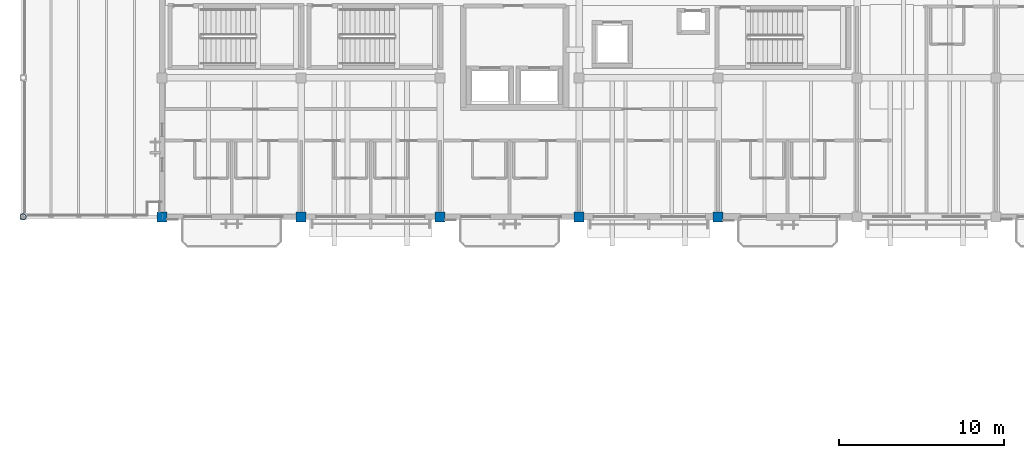
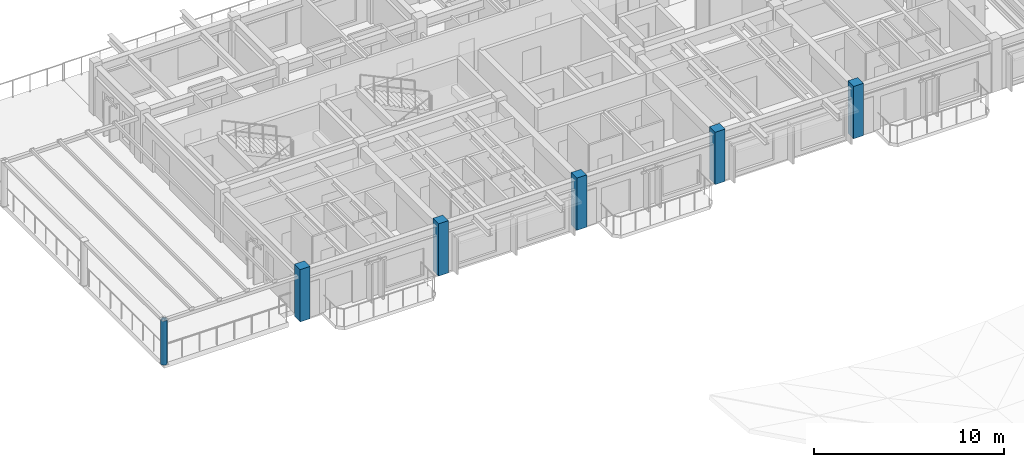
# One storey, part 1 of 22: 6 columns.
"""IFC4 building model written with IfcOpenShell, lengths in metres."""

from ifc_helpers import new_model, si_unit, direction, frame, origin, origin_2d, place, context, subcontext, project, spatial, rectangle, hollow_circle, extrude, material, material_profile, profile_set, type_object, element, save


model = new_model("IFC4")

# Units and contexts
model_context = context("Model", 3, precision=1e-05, world=origin(), true_north=direction((0.0, 1.0)))
body_context = subcontext(model_context, "Body", "Model", "MODEL_VIEW")
ifc_project = project(units=[si_unit("LENGTHUNIT", "METRE"), si_unit("AREAUNIT", "SQUARE_METRE"), si_unit("VOLUMEUNIT", "CUBIC_METRE"), si_unit("PLANEANGLEUNIT", "RADIAN"), si_unit("MASSUNIT", "GRAM", prefix="KILO")], contexts=[model_context])

# Site, building, storey
site_placement = place(None, origin())
site = spatial("IfcSite", under=ifc_project, at=site_placement, CompositionType="ELEMENT")
building_placement = place(site_placement, origin())
building = spatial("IfcBuilding", under=site, at=building_placement, Name="Cumbredor Promenade Congress Hotel", CompositionType="ELEMENT")
storey_placement = place(building_placement, frame((0.0, 0.0, 28.56005859375)))
storey = spatial("IfcBuildingStorey", under=building, at=storey_placement, Name="L08", CompositionType="ELEMENT", Elevation=28.56005859375)

# Columns
ifc_material_1 = material(Name="Concrete C40/50", Category="concrete")
ifc_material_profile_1 = material_profile(ifc_material_1, rectangle(XDim=0.60009765625, YDim=0.60009765625, at=origin_2d()), Name="RC 600x600")
ifc_profile_set_1 = profile_set([ifc_material_profile_1], Name="Concrete C40/50")
column_type_1 = type_object("IfcColumnType", Name="COL-RC-600", PredefinedType="COLUMN", material=ifc_profile_set_1)
for number, where, z_axis, x_axis, name in (
    (1, (8.39990234375, 92.39990234375, 0.0), (0.0, 0.0, 1.0), (1.0, 0.0, 0.0), "L08 Structural Column 001"),
    (2, (16.800048828125, 92.39990234375, 0.0), (0.0, 0.0, 1.0), (1.0, 0.0, 0.0), "L08 Structural Column 005"),
    (3, (25.199951171875, 92.39990234375, 0.0), (0.0, 0.0, 1.0), (1.0, 0.0, 0.0), "L08 Structural Column 009"),
    (4, (33.60009765625, 92.39990234375, 0.0), (0.0, 0.0, 1.0), (1.0, 0.0, 0.0), "L08 Structural Column 013"),
    (5, (42.0, 92.39990234375, 0.0), (0.0, 0.0, 1.0), (1.0, 0.0, 0.0), "L08 Structural Column 017"),
):
    element("IfcColumn", number, at=place(storey_placement, frame(where, z_axis=z_axis, x_axis=x_axis)), inside=storey, type_object=column_type_1, Name=name, PredefinedType="COLUMN", context=body_context, shape_type="SweptSolid", body=[
        extrude(rectangle(XDim=0.60009765625, YDim=0.60009765625, at=origin_2d()), origin(), (0.0, 0.0, 1.0), 3.35986328125),
    ])
ifc_material_2 = material(Name="Steel ASTM A500 Grade C", Category="steel")
ifc_material_profile_2 = material_profile(ifc_material_2, hollow_circle(Radius=0.177734375, WallThickness=0.01611328125, at=origin_2d()), Name="CHS 355.6x16")
ifc_profile_set_2 = profile_set([ifc_material_profile_2], Name="Steel ASTM A500 Grade C")
column_type_2 = type_object("IfcColumnType", Name="COL-STL-CHS355", PredefinedType="COLUMN", material=ifc_profile_set_2)
column_placement = place(storey_placement, frame((0.0, 92.39990234375, 0.0048828125), z_axis=(0.0, 0.0, 1.0), x_axis=(1.0, 0.0, 0.0)))
element("IfcColumn", 6, at=column_placement, inside=storey, type_object=column_type_2, Name="L08 Sky-Garden Pergola Post 4.1", PredefinedType="COLUMN", context=body_context, shape_type="SweptSolid", body=[
    extrude(hollow_circle(Radius=0.177734375, WallThickness=0.01611328125, at=origin_2d()), origin(), (0.0, 0.0, 1.0), 2.844970703125),
])

save(model, "model.ifc")
